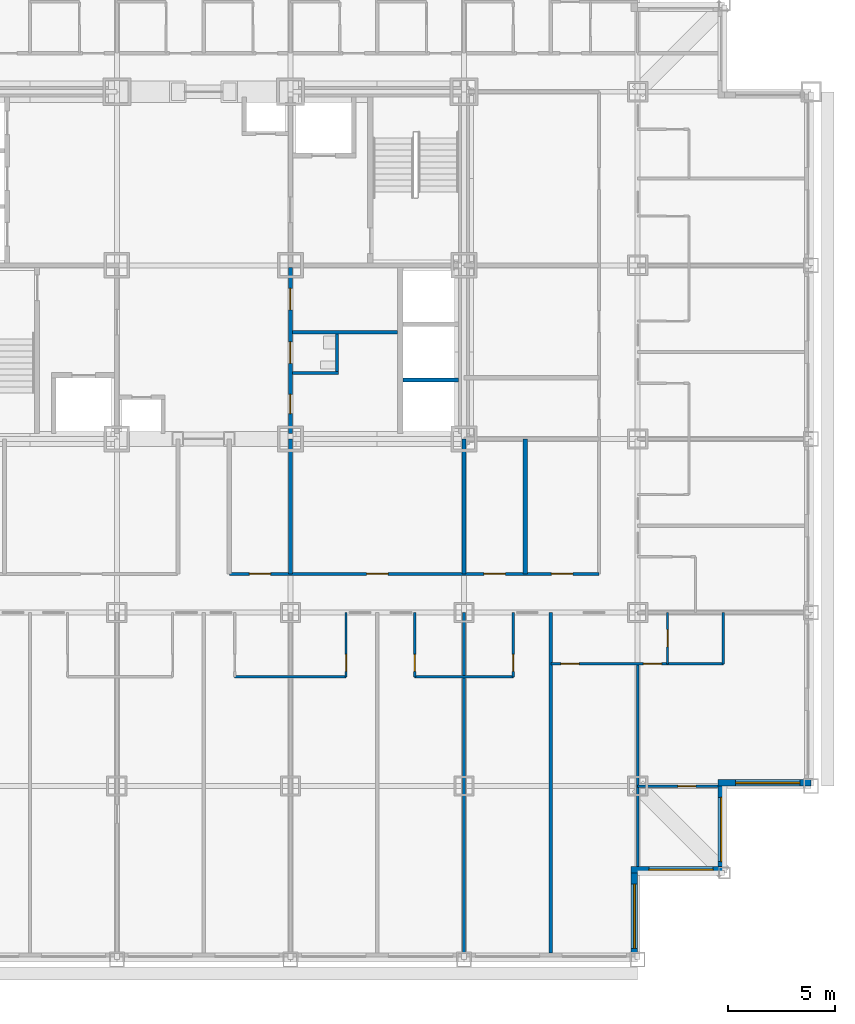
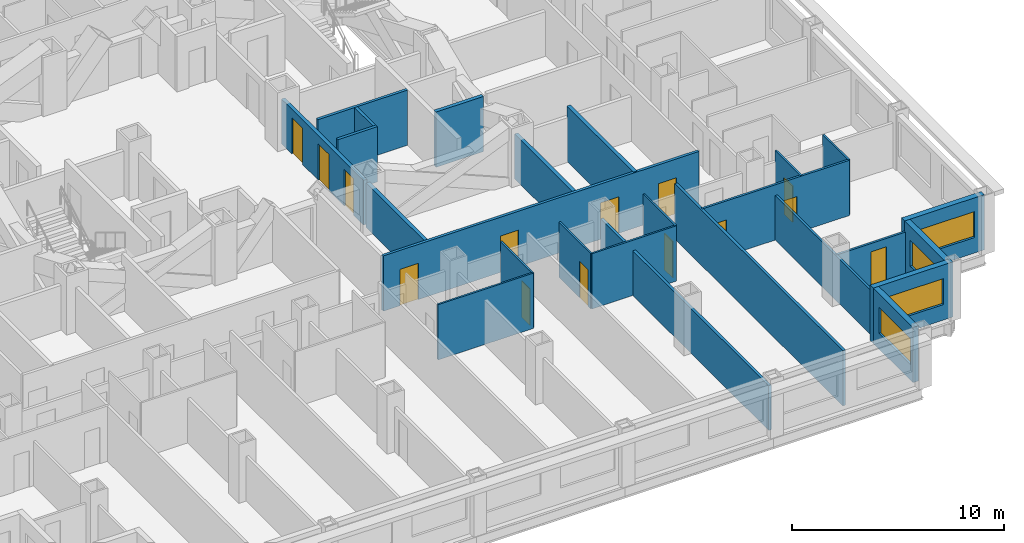
# One storey, part 6 of 13: 25 walls, 14 doors, 4 windows, 18 openings.
"""IFC4 building model written with IfcOpenShell, lengths in metres."""

from ifc_helpers import new_model, si_unit, direction, frame, frame_2d, origin, place, context, subcontext, project, spatial, rectangle, extrude, material, layer, layer_set, type_object, element, fill, save


model = new_model("IFC4")

# Units and contexts
model_context = context("Model", 3, precision=1e-05, world=origin(), true_north=direction((0.0, 1.0)))
body_context = subcontext(model_context, "Body", "Model", "MODEL_VIEW")
ifc_project = project(units=[si_unit("LENGTHUNIT", "METRE"), si_unit("AREAUNIT", "SQUARE_METRE"), si_unit("VOLUMEUNIT", "CUBIC_METRE"), si_unit("PLANEANGLEUNIT", "RADIAN"), si_unit("MASSUNIT", "GRAM", prefix="KILO")], contexts=[model_context])

# Site, building, storey
site_placement = place(None, origin())
site = spatial("IfcSite", under=ifc_project, at=site_placement, CompositionType="ELEMENT")
building_placement = place(site_placement, origin())
building = spatial("IfcBuilding", under=site, at=building_placement, Name="Kopane Lantern Tower", CompositionType="ELEMENT")
storey_placement = place(building_placement, frame((0.0, 0.0, 50.0)))
storey = spatial("IfcBuildingStorey", under=building, at=storey_placement, Name="L11", CompositionType="ELEMENT", Elevation=50.0)

# Wall, openings, doors
ifc_material_1 = material(Name="Gypsum board on steel studs", Category="steel")
ifc_layer_1 = layer(ifc_material_1, 0.1201171875)
ifc_layer_set_1 = layer_set([ifc_layer_1], Name="APARTMENT INTERNAL WALL 120")
wall_type_1 = type_object("IfcWallType", Name="APARTMENT INTERNAL WALL 120", PredefinedType="PARTITIONING", material=ifc_layer_set_1)
wall_1_placement = place(storey_placement, frame((44.550048828125, 13.800048828125, 0.0), z_axis=(0.0, 0.0, 1.0), x_axis=(1.0, 0.0, 0.0)))
wall_1 = element("IfcWall", 1, at=wall_1_placement, inside=storey, type_object=wall_type_1, Name="Apartment Internal Wall 120 L11", PredefinedType="PARTITIONING", context=body_context, shape_type="SweptSolid", body=[
    extrude(rectangle(XDim=8.050048828125, YDim=0.1201171875, at=frame_2d((4.02490234375, 0.0))), origin(), (0.0, 0.0, 1.0), 3.18994140625),
])
opening_1_placement = place(wall_1_placement, frame((0.47509765625, 0.0, 0.0)))
opening_1 = element("IfcOpeningElement", 2, at=opening_1_placement, cuts=wall_1, Name="Opening L11-079", PredefinedType="OPENING", context=body_context, shape_type="SweptSolid", body=[
    extrude(rectangle(XDim=0.85009765625, YDim=2.10009765625, at=frame_2d((0.425048828125, 1.050048828125))), frame((0.0, 0.070068359375, 0.0), z_axis=(0.0, -1.0, 0.0), x_axis=(1.0, 0.0, 0.0)), (0.0, 0.0, 1.0), 0.14013671875),
])
opening_2_placement = place(wall_1_placement, frame((4.324951171875, 0.0, 0.0)))
opening_2 = element("IfcOpeningElement", 3, at=opening_2_placement, cuts=wall_1, Name="Opening L11-081", PredefinedType="OPENING", context=body_context, shape_type="SweptSolid", body=[
    extrude(rectangle(XDim=0.85009765625, YDim=2.10009765625, at=frame_2d((0.425048828125, 1.050048828125))), frame((0.0, 0.070068359375, 0.0), z_axis=(0.0, -1.0, 0.0), x_axis=(1.0, 0.0, 0.0)), (0.0, 0.0, 1.0), 0.14013671875),
])
ifc_material_2 = material(Name="Timber door set", Category="wood")
door_type_1 = type_object("IfcDoorType", Name="DOOR D4 850x2100", OperationType="SINGLE_SWING_LEFT", PredefinedType="DOOR", material=ifc_material_2)
door_1_placement = place(opening_1_placement, origin())
door_1 = element("IfcDoor", 4, at=door_1_placement, inside=storey, type_object=door_type_1, Name="Door L11-079", OperationType="SINGLE_SWING_LEFT", OverallHeight=2.10009765625, OverallWidth=0.85009765625, PredefinedType="DOOR", context=body_context, shape_type="SweptSolid", body=[
    extrude(rectangle(XDim=0.85009765625, YDim=2.10009765625, at=frame_2d((0.425048828125, 1.050048828125))), frame((0.0, 0.02490234375, 0.0), z_axis=(0.0, -1.0, 0.0), x_axis=(1.0, 0.0, 0.0)), (0.0, 0.0, 1.0), 0.050048828125),
])
fill(opening_1, door_1)
door_2_placement = place(opening_2_placement, origin())
door_2 = element("IfcDoor", 5, at=door_2_placement, inside=storey, type_object=door_type_1, Name="Door L11-081", OperationType="SINGLE_SWING_RIGHT", OverallHeight=2.10009765625, OverallWidth=0.85009765625, PredefinedType="DOOR", context=body_context, shape_type="SweptSolid", body=[
    extrude(rectangle(XDim=0.85009765625, YDim=2.10009765625, at=frame_2d((0.425048828125, 1.050048828125))), frame((0.0, 0.02490234375, 0.0), z_axis=(0.0, -1.0, 0.0), x_axis=(1.0, 0.0, 0.0)), (0.0, 0.0, 1.0), 0.050048828125),
])
fill(opening_2, door_2)

# Wall
wall_2_placement = place(storey_placement, frame((48.60009765625, 13.800048828125, 0.0), z_axis=(0.0, 0.0, 1.0), x_axis=(0.0, -1.0, 0.0)))
element("IfcWall", 6, at=wall_2_placement, inside=storey, type_object=wall_type_1, Name="Apartment Internal Wall 120 L11", PredefinedType="PARTITIONING", context=body_context, shape_type="SweptSolid", body=[
    extrude(rectangle(XDim=9.449951171875, YDim=0.1201171875, at=frame_2d((4.72509765625, 0.0))), origin(), (0.0, 0.0, 1.0), 2.577880859375),
])

# Wall, opening, door
wall_3_placement = place(storey_placement, frame((48.60009765625, 8.10009765625, 0.0), z_axis=(0.0, 0.0, 1.0), x_axis=(1.0, 0.0, 0.0)))
wall_3 = element("IfcWall", 7, at=wall_3_placement, inside=storey, type_object=wall_type_1, Name="Apartment Internal Wall 120 L11", PredefinedType="PARTITIONING", context=body_context, shape_type="SweptSolid", body=[
    extrude(rectangle(XDim=3.75, YDim=0.1201171875, at=frame_2d((1.875, 0.0))), origin(), (0.0, 0.0, 1.0), 2.577880859375),
])
opening_3_placement = place(wall_3_placement, frame((1.875, 0.0, 0.0)))
opening_3 = element("IfcOpeningElement", 8, at=opening_3_placement, cuts=wall_3, Name="Opening L11-082", PredefinedType="OPENING", context=body_context, shape_type="SweptSolid", body=[
    extrude(rectangle(XDim=0.85009765625, YDim=2.10009765625, at=frame_2d((0.425048828125, 1.050048828125))), frame((0.0, 0.070068359375, 0.0), z_axis=(0.0, -1.0, 0.0), x_axis=(1.0, 0.0, 0.0)), (0.0, 0.0, 1.0), 0.14013671875),
])
door_3_placement = place(opening_3_placement, origin())
door_3 = element("IfcDoor", 9, at=door_3_placement, inside=storey, type_object=door_type_1, Name="Door L11-082", OperationType="SINGLE_SWING_LEFT", OverallHeight=2.10009765625, OverallWidth=0.85009765625, PredefinedType="DOOR", context=body_context, shape_type="SweptSolid", body=[
    extrude(rectangle(XDim=0.85009765625, YDim=2.10009765625, at=frame_2d((0.425048828125, 1.050048828125))), frame((0.0, 0.02490234375, 0.0), z_axis=(0.0, -1.0, 0.0), x_axis=(1.0, 0.0, 0.0)), (0.0, 0.0, 1.0), 0.050048828125),
])
fill(opening_3, door_3)

# Wall
ifc_material_3 = material(Name="Moisture-resistant board on steel studs", Category="steel")
ifc_layer_2 = layer(ifc_material_3, 0.10009765625)
ifc_layer_set_2 = layer_set([ifc_layer_2], Name="BATHROOM WALL 100")
wall_type_2 = type_object("IfcWallType", Name="BATHROOM WALL 100", PredefinedType="PARTITIONING", material=ifc_layer_set_2)
wall_4_placement = place(storey_placement, frame((29.800048828125, 13.199951171875, 0.0), z_axis=(0.0, 0.0, 1.0), x_axis=(1.0, 0.0, 0.0)))
element("IfcWall", 10, at=wall_4_placement, inside=storey, type_object=wall_type_2, Name="Bathroom Wall 100 L11", PredefinedType="PARTITIONING", context=body_context, shape_type="SweptSolid", body=[
    extrude(rectangle(XDim=5.199951171875, YDim=0.10009765625, at=frame_2d((2.60009765625, 0.0))), origin(), (0.0, 0.0, 1.0), 3.18994140625),
])

# Wall, opening, door
wall_5_placement = place(storey_placement, frame((35.0, 16.199951171875, 0.0), z_axis=(0.0, 0.0, 1.0), x_axis=(0.0, -1.0, 0.0)))
wall_5 = element("IfcWall", 11, at=wall_5_placement, inside=storey, type_object=wall_type_2, Name="Bathroom Wall 100 L11", PredefinedType="PARTITIONING", context=body_context, shape_type="SweptSolid", body=[
    extrude(rectangle(XDim=3.0, YDim=0.10009765625, at=frame_2d((1.5, 0.0))), origin(), (0.0, 0.0, 1.0), 3.18994140625),
])
opening_4_placement = place(wall_5_placement, frame((1.949951171875, 0.0, 0.0)))
opening_4 = element("IfcOpeningElement", 12, at=opening_4_placement, cuts=wall_5, Name="Opening L11-027", PredefinedType="OPENING", context=body_context, shape_type="SweptSolid", body=[
    extrude(rectangle(XDim=0.800048828125, YDim=2.10009765625, at=frame_2d((0.39990234375, 1.050048828125))), frame((0.0, 0.06005859375, 0.0), z_axis=(0.0, -1.0, 0.0), x_axis=(1.0, 0.0, 0.0)), (0.0, 0.0, 1.0), 0.1201171875),
])
ifc_material_4 = material(Name="Timber door set", Category="wood")
door_type_2 = type_object("IfcDoorType", Name="DOOR D2 800x2100", OperationType="SINGLE_SWING_LEFT", PredefinedType="DOOR", material=ifc_material_4)
door_4_placement = place(opening_4_placement, origin())
door_4 = element("IfcDoor", 13, at=door_4_placement, inside=storey, type_object=door_type_2, Name="Door L11-027", OperationType="SINGLE_SWING_LEFT", OverallHeight=2.10009765625, OverallWidth=0.800048828125, PredefinedType="DOOR", context=body_context, shape_type="SweptSolid", body=[
    extrude(rectangle(XDim=0.800048828125, YDim=2.10009765625, at=frame_2d((0.39990234375, 1.050048828125))), frame((0.0, 0.02490234375, 0.0), z_axis=(0.0, -1.0, 0.0), x_axis=(1.0, 0.0, 0.0)), (0.0, 0.0, 1.0), 0.050048828125),
])
fill(opening_4, door_4)

# Wall
wall_6_placement = place(storey_placement, frame((38.199951171875, 13.199951171875, 0.0), z_axis=(0.0, 0.0, 1.0), x_axis=(1.0, 0.0, 0.0)))
element("IfcWall", 14, at=wall_6_placement, inside=storey, type_object=wall_type_2, Name="Bathroom Wall 100 L11", PredefinedType="PARTITIONING", context=body_context, shape_type="SweptSolid", body=[
    extrude(rectangle(XDim=4.60009765625, YDim=0.10009765625, at=frame_2d((2.300048828125, 0.0))), origin(), (0.0, 0.0, 1.0), 3.18994140625),
])

# Wall, opening, door
wall_7_placement = place(storey_placement, frame((38.199951171875, 16.199951171875, 0.0), z_axis=(0.0, 0.0, 1.0), x_axis=(0.0, -1.0, 0.0)))
wall_7 = element("IfcWall", 15, at=wall_7_placement, inside=storey, type_object=wall_type_2, Name="Bathroom Wall 100 L11", PredefinedType="PARTITIONING", context=body_context, shape_type="SweptSolid", body=[
    extrude(rectangle(XDim=3.0, YDim=0.10009765625, at=frame_2d((1.5, 0.0))), origin(), (0.0, 0.0, 1.0), 3.18994140625),
])
opening_5_placement = place(wall_7_placement, frame((1.949951171875, 0.0, 0.0)))
opening_5 = element("IfcOpeningElement", 16, at=opening_5_placement, cuts=wall_7, Name="Opening L11-029", PredefinedType="OPENING", context=body_context, shape_type="SweptSolid", body=[
    extrude(rectangle(XDim=0.800048828125, YDim=2.10009765625, at=frame_2d((0.39990234375, 1.050048828125))), frame((0.0, 0.06005859375, 0.0), z_axis=(0.0, -1.0, 0.0), x_axis=(1.0, 0.0, 0.0)), (0.0, 0.0, 1.0), 0.1201171875),
])
door_5_placement = place(opening_5_placement, origin())
door_5 = element("IfcDoor", 17, at=door_5_placement, inside=storey, type_object=door_type_2, Name="Door L11-029", OperationType="SINGLE_SWING_RIGHT", OverallHeight=2.10009765625, OverallWidth=0.800048828125, PredefinedType="DOOR", context=body_context, shape_type="SweptSolid", body=[
    extrude(rectangle(XDim=0.800048828125, YDim=2.10009765625, at=frame_2d((0.39990234375, 1.050048828125))), frame((0.0, 0.02490234375, 0.0), z_axis=(0.0, -1.0, 0.0), x_axis=(1.0, 0.0, 0.0)), (0.0, 0.0, 1.0), 0.050048828125),
])
fill(opening_5, door_5)

wall_8_placement = place(storey_placement, frame((42.800048828125, 16.199951171875, 0.0), z_axis=(0.0, 0.0, 1.0), x_axis=(0.0, -1.0, 0.0)))
wall_8 = element("IfcWall", 18, at=wall_8_placement, inside=storey, type_object=wall_type_2, Name="Bathroom Wall 100 L11", PredefinedType="PARTITIONING", context=body_context, shape_type="SweptSolid", body=[
    extrude(rectangle(XDim=3.0, YDim=0.10009765625, at=frame_2d((1.5, 0.0))), origin(), (0.0, 0.0, 1.0), 3.18994140625),
])
opening_6_placement = place(wall_8_placement, frame((1.949951171875, 0.0, 0.0)))
opening_6 = element("IfcOpeningElement", 19, at=opening_6_placement, cuts=wall_8, Name="Opening L11-031", PredefinedType="OPENING", context=body_context, shape_type="SweptSolid", body=[
    extrude(rectangle(XDim=0.800048828125, YDim=2.10009765625, at=frame_2d((0.39990234375, 1.050048828125))), frame((0.0, 0.06005859375, 0.0), z_axis=(0.0, -1.0, 0.0), x_axis=(1.0, 0.0, 0.0)), (0.0, 0.0, 1.0), 0.1201171875),
])
door_6_placement = place(opening_6_placement, origin())
door_6 = element("IfcDoor", 20, at=door_6_placement, inside=storey, type_object=door_type_2, Name="Door L11-031", OperationType="SINGLE_SWING_LEFT", OverallHeight=2.10009765625, OverallWidth=0.800048828125, PredefinedType="DOOR", context=body_context, shape_type="SweptSolid", body=[
    extrude(rectangle(XDim=0.800048828125, YDim=2.10009765625, at=frame_2d((0.39990234375, 1.050048828125))), frame((0.0, 0.02490234375, 0.0), z_axis=(0.0, -1.0, 0.0), x_axis=(1.0, 0.0, 0.0)), (0.0, 0.0, 1.0), 0.050048828125),
])
fill(opening_6, door_6)

wall_9_placement = place(storey_placement, frame((50.0, 16.199951171875, 0.0), z_axis=(0.0, 0.0, 1.0), x_axis=(0.0, -1.0, 0.0)))
wall_9 = element("IfcWall", 21, at=wall_9_placement, inside=storey, type_object=wall_type_2, Name="Bathroom Wall 100 L11", PredefinedType="PARTITIONING", context=body_context, shape_type="SweptSolid", body=[
    extrude(rectangle(XDim=2.39990234375, YDim=0.10009765625, at=frame_2d((1.199951171875, 0.0))), origin(), (0.0, 0.0, 1.0), 3.18994140625),
])
opening_7_placement = place(wall_9_placement, frame((0.800048828125, 0.0, 0.0)))
opening_7 = element("IfcOpeningElement", 22, at=opening_7_placement, cuts=wall_9, Name="Opening L11-080", PredefinedType="OPENING", context=body_context, shape_type="SweptSolid", body=[
    extrude(rectangle(XDim=0.800048828125, YDim=2.10009765625, at=frame_2d((0.39990234375, 1.050048828125))), frame((0.0, 0.06005859375, 0.0), z_axis=(0.0, -1.0, 0.0), x_axis=(1.0, 0.0, 0.0)), (0.0, 0.0, 1.0), 0.1201171875),
])
door_7_placement = place(opening_7_placement, origin())
door_7 = element("IfcDoor", 23, at=door_7_placement, inside=storey, type_object=door_type_2, Name="Door L11-080", OperationType="SINGLE_SWING_LEFT", OverallHeight=2.10009765625, OverallWidth=0.800048828125, PredefinedType="DOOR", context=body_context, shape_type="SweptSolid", body=[
    extrude(rectangle(XDim=0.800048828125, YDim=2.10009765625, at=frame_2d((0.39990234375, 1.050048828125))), frame((0.0, 0.02490234375, 0.0), z_axis=(0.0, -1.0, 0.0), x_axis=(1.0, 0.0, 0.0)), (0.0, 0.0, 1.0), 0.050048828125),
])
fill(opening_7, door_7)

# Walls
wall_10_placement = place(storey_placement, frame((52.60009765625, 16.199951171875, 0.0), z_axis=(0.0, 0.0, 1.0), x_axis=(0.0, -1.0, 0.0)))
element("IfcWall", 24, at=wall_10_placement, inside=storey, type_object=wall_type_2, Name="Bathroom Wall 100 L11", PredefinedType="PARTITIONING", context=body_context, shape_type="SweptSolid", body=[
    extrude(rectangle(XDim=2.39990234375, YDim=0.10009765625, at=frame_2d((1.199951171875, 0.0))), origin(), (0.0, 0.0, 1.0), 3.18994140625),
])
ifc_material_5 = material(Name="Gypsum partition EI 60", Category="gypsum")
ifc_layer_3 = layer(ifc_material_5, 0.14990234375)
ifc_layer_set_3 = layer_set([ifc_layer_3], Name="CORE ROOM PARTITION 150 EI 60")
wall_type_3 = type_object("IfcWallType", Name="CORE ROOM PARTITION 150 EI 60", PredefinedType="PARTITIONING", material=ifc_layer_set_3)
wall_11_placement = place(storey_placement, frame((32.5, 27.375, 0.0), z_axis=(0.0, 0.0, 1.0), x_axis=(1.0, 0.0, 0.0)))
element("IfcWall", 25, at=wall_11_placement, inside=storey, type_object=wall_type_3, Name="Core room partition L11 E1", PredefinedType="PARTITIONING", context=body_context, shape_type="SweptSolid", body=[
    extrude(rectangle(XDim=2.14990234375, YDim=0.14990234375, at=frame_2d((1.074951171875, 0.0))), origin(), (0.0, 0.0, 1.0), 3.18994140625),
])
wall_12_placement = place(storey_placement, frame((32.5, 29.27490234375, 0.0), z_axis=(0.0, 0.0, 1.0), x_axis=(1.0, 0.0, 0.0)))
element("IfcWall", 26, at=wall_12_placement, inside=storey, type_object=wall_type_3, Name="Core room partition L11 E2", PredefinedType="PARTITIONING", context=body_context, shape_type="SweptSolid", body=[
    extrude(rectangle(XDim=4.89990234375, YDim=0.14990234375, at=frame_2d((2.449951171875, 0.0))), origin(), (0.0, 0.0, 1.0), 3.18994140625),
])
wall_13_placement = place(storey_placement, frame((34.574951171875, 27.449951171875, 0.0), z_axis=(0.0, 0.0, 1.0), x_axis=(0.0, 1.0, 0.0)))
element("IfcWall", 27, at=wall_13_placement, inside=storey, type_object=wall_type_3, Name="Core room partition L11 EB1", PredefinedType="PARTITIONING", context=body_context, shape_type="SweptSolid", body=[
    extrude(rectangle(XDim=1.75, YDim=0.14990234375, at=frame_2d((0.875, 0.0))), origin(), (0.0, 0.0, 1.0), 3.18994140625),
])

# Wall, openings, doors
ifc_material_6 = material(Name="Gypsum partition EI 60", Category="gypsum")
ifc_layer_4 = layer(ifc_material_6, 0.199951171875)
ifc_layer_set_4 = layer_set([ifc_layer_4], Name="CORE ROOM WALL 200 EI 60")
wall_type_4 = type_object("IfcWallType", Name="CORE ROOM WALL 200 EI 60", PredefinedType="PARTITIONING", material=ifc_layer_set_4)
wall_14_placement = place(storey_placement, frame((32.39990234375, 24.550048828125, 0.0), z_axis=(0.0, 0.0, 1.0), x_axis=(0.0, 1.0, 0.0)))
wall_14 = element("IfcWall", 28, at=wall_14_placement, inside=storey, type_object=wall_type_4, Name="Core room wall L11 XE", PredefinedType="PARTITIONING", context=body_context, shape_type="SweptSolid", body=[
    extrude(rectangle(XDim=7.75, YDim=0.199951171875, at=frame_2d((3.875, 0.0))), origin(), (0.0, 0.0, 1.0), 2.577880859375),
])
opening_8_placement = place(wall_14_placement, frame((0.925048828125, 0.0, 0.0)))
opening_8 = element("IfcOpeningElement", 29, at=opening_8_placement, cuts=wall_14, Name="Opening 11.C20", PredefinedType="OPENING", context=body_context, shape_type="SweptSolid", body=[
    extrude(rectangle(XDim=0.89990234375, YDim=2.10009765625, at=frame_2d((0.449951171875, 1.050048828125))), frame((0.0, 0.10986328125, 0.0), z_axis=(0.0, -1.0, 0.0), x_axis=(1.0, 0.0, 0.0)), (0.0, 0.0, 1.0), 0.219970703125),
])
opening_9_placement = place(wall_14_placement, frame((3.27490234375, 0.0, 0.0)))
opening_9 = element("IfcOpeningElement", 30, at=opening_9_placement, cuts=wall_14, Name="Opening 11.C21", PredefinedType="OPENING", context=body_context, shape_type="SweptSolid", body=[
    extrude(rectangle(XDim=1.0, YDim=2.10009765625, at=frame_2d((0.5, 1.050048828125))), frame((0.0, 0.10986328125, 0.0), z_axis=(0.0, -1.0, 0.0), x_axis=(1.0, 0.0, 0.0)), (0.0, 0.0, 1.0), 0.219970703125),
])
opening_10_placement = place(wall_14_placement, frame((5.77490234375, 0.0, 0.0)))
opening_10 = element("IfcOpeningElement", 31, at=opening_10_placement, cuts=wall_14, Name="Opening 11.C22", PredefinedType="OPENING", context=body_context, shape_type="SweptSolid", body=[
    extrude(rectangle(XDim=1.0, YDim=2.10009765625, at=frame_2d((0.5, 1.050048828125))), frame((0.0, 0.10986328125, 0.0), z_axis=(0.0, -1.0, 0.0), x_axis=(1.0, 0.0, 0.0)), (0.0, 0.0, 1.0), 0.219970703125),
])
ifc_material_7 = material(Name="Steel door set", Category="steel")
door_type_3 = type_object("IfcDoorType", Name="CORE ROOM DOOR 1000x2100 FD30S", OperationType="SINGLE_SWING_RIGHT", PredefinedType="DOOR", material=ifc_material_7)
door_8_placement = place(opening_9_placement, origin())
door_8 = element("IfcDoor", 32, at=door_8_placement, inside=storey, type_object=door_type_3, Name="Door Staff WC L11", OperationType="SINGLE_SWING_LEFT", OverallHeight=2.10009765625, OverallWidth=1.0, PredefinedType="DOOR", context=body_context, shape_type="SweptSolid", body=[
    extrude(rectangle(XDim=1.0, YDim=2.10009765625, at=frame_2d((0.5, 1.050048828125))), frame((0.0, 0.02490234375, 0.0), z_axis=(0.0, -1.0, 0.0), x_axis=(1.0, 0.0, 0.0)), (0.0, 0.0, 1.0), 0.050048828125),
])
fill(opening_9, door_8)
door_9_placement = place(opening_10_placement, origin())
door_9 = element("IfcDoor", 33, at=door_9_placement, inside=storey, type_object=door_type_3, Name="Door Guest pantry L11", OperationType="SINGLE_SWING_RIGHT", OverallHeight=2.10009765625, OverallWidth=1.0, PredefinedType="DOOR", context=body_context, shape_type="SweptSolid", body=[
    extrude(rectangle(XDim=1.0, YDim=2.10009765625, at=frame_2d((0.5, 1.050048828125))), frame((0.0, 0.02490234375, 0.0), z_axis=(0.0, -1.0, 0.0), x_axis=(1.0, 0.0, 0.0)), (0.0, 0.0, 1.0), 0.050048828125),
])
fill(opening_10, door_9)
ifc_material_8 = material(Name="Steel door set", Category="steel")
door_type_4 = type_object("IfcDoorType", Name="CORE ROOM DOOR 900x2100 FD60", OperationType="SINGLE_SWING_LEFT", PredefinedType="DOOR", material=ifc_material_8)
door_10_placement = place(opening_8_placement, origin())
door_10 = element("IfcDoor", 34, at=door_10_placement, inside=storey, type_object=door_type_4, Name="Door Luggage store L11", OperationType="SINGLE_SWING_LEFT", OverallHeight=2.10009765625, OverallWidth=0.89990234375, PredefinedType="DOOR", context=body_context, shape_type="SweptSolid", body=[
    extrude(rectangle(XDim=0.89990234375, YDim=2.10009765625, at=frame_2d((0.449951171875, 1.050048828125))), frame((0.0, 0.02490234375, 0.0), z_axis=(0.0, -1.0, 0.0), x_axis=(1.0, 0.0, 0.0)), (0.0, 0.0, 1.0), 0.050048828125),
])
fill(opening_8, door_10)

ifc_material_9 = material(Name="Gypsum board on steel studs", Category="steel")
ifc_layer_5 = layer(ifc_material_9, 0.14990234375)
ifc_layer_set_5 = layer_set([ifc_layer_5], Name="CORRIDOR WALL 150 EI 60")
wall_type_5 = type_object("IfcWallType", Name="CORRIDOR WALL 150 EI 60", PredefinedType="PARTITIONING", material=ifc_layer_set_5)
wall_15_placement = place(storey_placement, frame((29.56005859375, 18.0, 0.0), z_axis=(0.0, 0.0, 1.0), x_axis=(1.0, 0.0, 0.0)))
wall_15 = element("IfcWall", 35, at=wall_15_placement, inside=storey, type_object=wall_type_5, Name="Corridor Wall 150 Ei 60 L11", PredefinedType="PARTITIONING", context=body_context, shape_type="SweptSolid", body=[
    extrude(rectangle(XDim=17.239990234375, YDim=0.14990234375, at=frame_2d((8.6201171875, 0.0))), origin(), (0.0, 0.0, 1.0), 3.18994140625),
])
opening_11_placement = place(wall_15_placement, frame((0.918701171875, 0.0, 0.0)))
opening_11 = element("IfcOpeningElement", 36, at=opening_11_placement, cuts=wall_15, Name="Opening L11-012", PredefinedType="OPENING", context=body_context, shape_type="SweptSolid", body=[
    extrude(rectangle(XDim=1.0, YDim=2.10009765625, at=frame_2d((0.5, 1.050048828125))), frame((0.0, 0.0849609375, 0.0), z_axis=(0.0, -1.0, 0.0), x_axis=(1.0, 0.0, 0.0)), (0.0, 0.0, 1.0), 0.169921875),
])
opening_12_placement = place(wall_15_placement, frame((6.3935546875, 0.0, 0.0)))
opening_12 = element("IfcOpeningElement", 37, at=opening_12_placement, cuts=wall_15, Name="Opening L11-013", PredefinedType="OPENING", context=body_context, shape_type="SweptSolid", body=[
    extrude(rectangle(XDim=1.0, YDim=2.10009765625, at=frame_2d((0.5, 1.050048828125))), frame((0.0, 0.0849609375, 0.0), z_axis=(0.0, -1.0, 0.0), x_axis=(1.0, 0.0, 0.0)), (0.0, 0.0, 1.0), 0.169921875),
])
opening_13_placement = place(wall_15_placement, frame((11.86865234375, 0.0, 0.0)))
opening_13 = element("IfcOpeningElement", 38, at=opening_13_placement, cuts=wall_15, Name="Opening L11-014", PredefinedType="OPENING", context=body_context, shape_type="SweptSolid", body=[
    extrude(rectangle(XDim=1.0, YDim=2.10009765625, at=frame_2d((0.5, 1.050048828125))), frame((0.0, 0.0849609375, 0.0), z_axis=(0.0, -1.0, 0.0), x_axis=(1.0, 0.0, 0.0)), (0.0, 0.0, 1.0), 0.169921875),
])
opening_14_placement = place(wall_15_placement, frame((15.0185546875, 0.0, 0.0)))
opening_14 = element("IfcOpeningElement", 39, at=opening_14_placement, cuts=wall_15, Name="Opening L11-015", PredefinedType="OPENING", context=body_context, shape_type="SweptSolid", body=[
    extrude(rectangle(XDim=1.0, YDim=2.10009765625, at=frame_2d((0.5, 1.050048828125))), frame((0.0, 0.0849609375, 0.0), z_axis=(0.0, -1.0, 0.0), x_axis=(1.0, 0.0, 0.0)), (0.0, 0.0, 1.0), 0.169921875),
])
ifc_material_10 = material(Name="Steel door set", Category="steel")
door_type_5 = type_object("IfcDoorType", Name="DOOR D5 1000x2100 FD60", OperationType="SINGLE_SWING_LEFT", PredefinedType="DOOR", material=ifc_material_10)
door_11_placement = place(opening_11_placement, origin())
door_11 = element("IfcDoor", 40, at=door_11_placement, inside=storey, type_object=door_type_5, Name="Door L11-012", OperationType="SINGLE_SWING_LEFT", OverallHeight=2.10009765625, OverallWidth=1.0, PredefinedType="DOOR", context=body_context, shape_type="SweptSolid", body=[
    extrude(rectangle(XDim=1.0, YDim=2.10009765625, at=frame_2d((0.5, 1.050048828125))), frame((0.0, 0.02490234375, 0.0), z_axis=(0.0, -1.0, 0.0), x_axis=(1.0, 0.0, 0.0)), (0.0, 0.0, 1.0), 0.050048828125),
])
fill(opening_11, door_11)
door_12_placement = place(opening_12_placement, origin())
door_12 = element("IfcDoor", 41, at=door_12_placement, inside=storey, type_object=door_type_5, Name="Door L11-013", OperationType="SINGLE_SWING_RIGHT", OverallHeight=2.10009765625, OverallWidth=1.0, PredefinedType="DOOR", context=body_context, shape_type="SweptSolid", body=[
    extrude(rectangle(XDim=1.0, YDim=2.10009765625, at=frame_2d((0.5, 1.050048828125))), frame((0.0, 0.02490234375, 0.0), z_axis=(0.0, -1.0, 0.0), x_axis=(1.0, 0.0, 0.0)), (0.0, 0.0, 1.0), 0.050048828125),
])
fill(opening_12, door_12)
door_13_placement = place(opening_13_placement, origin())
door_13 = element("IfcDoor", 42, at=door_13_placement, inside=storey, type_object=door_type_5, Name="Door L11-014", OperationType="SINGLE_SWING_LEFT", OverallHeight=2.10009765625, OverallWidth=1.0, PredefinedType="DOOR", context=body_context, shape_type="SweptSolid", body=[
    extrude(rectangle(XDim=1.0, YDim=2.10009765625, at=frame_2d((0.5, 1.050048828125))), frame((0.0, 0.02490234375, 0.0), z_axis=(0.0, -1.0, 0.0), x_axis=(1.0, 0.0, 0.0)), (0.0, 0.0, 1.0), 0.050048828125),
])
fill(opening_13, door_13)
door_14_placement = place(opening_14_placement, origin())
door_14 = element("IfcDoor", 43, at=door_14_placement, inside=storey, type_object=door_type_5, Name="Door L11-015", OperationType="SINGLE_SWING_RIGHT", OverallHeight=2.10009765625, OverallWidth=1.0, PredefinedType="DOOR", context=body_context, shape_type="SweptSolid", body=[
    extrude(rectangle(XDim=1.0, YDim=2.10009765625, at=frame_2d((0.5, 1.050048828125))), frame((0.0, 0.02490234375, 0.0), z_axis=(0.0, -1.0, 0.0), x_axis=(1.0, 0.0, 0.0)), (0.0, 0.0, 1.0), 0.050048828125),
])
fill(opening_14, door_14)

# Walls
ifc_material_11 = material(Name="Gypsum board on steel studs", Category="steel")
ifc_layer_6 = layer(ifc_material_11, 0.14990234375)
ifc_layer_set_6 = layer_set([ifc_layer_6], Name="DEMISING WALL 150 EI 60")
wall_type_6 = type_object("IfcWallType", Name="DEMISING WALL 150 EI 60", PredefinedType="PARTITIONING", material=ifc_layer_set_6)
wall_16_placement = place(storey_placement, frame((40.5, 16.199951171875, 0.0), z_axis=(0.0, 0.0, 1.0), x_axis=(0.0, -1.0, 0.0)))
element("IfcWall", 44, at=wall_16_placement, inside=storey, type_object=wall_type_6, Name="Demising Wall 150 Ei 60 L11", PredefinedType="PARTITIONING", context=body_context, shape_type="SweptSolid", body=[
    extrude(rectangle(XDim=15.89990234375, YDim=0.14990234375, at=frame_2d((7.949951171875, 0.0))), origin(), (0.0, 0.0, 1.0), 2.577880859375),
])
wall_17_placement = place(storey_placement, frame((44.550048828125, 16.199951171875, 0.0), z_axis=(0.0, 0.0, 1.0), x_axis=(0.0, -1.0, 0.0)))
element("IfcWall", 45, at=wall_17_placement, inside=storey, type_object=wall_type_6, Name="Demising Wall 150 Ei 60 L11", PredefinedType="PARTITIONING", context=body_context, shape_type="SweptSolid", body=[
    extrude(rectangle(XDim=15.89990234375, YDim=0.14990234375, at=frame_2d((7.949951171875, 0.0))), origin(), (0.0, 0.0, 1.0), 3.18994140625),
])

# Wall, opening, window
ifc_material_12 = material(Name="Terracotta rainscreen on light steel framing", Category="masonry")
ifc_layer_7 = layer(ifc_material_12, 0.300048828125)
ifc_layer_set_7 = layer_set([ifc_layer_7], Name="EXTERNAL WALL EW1 300 TERRACOTTA")
wall_type_7 = type_object("IfcWallType", Name="EXTERNAL WALL EW1 300 TERRACOTTA", PredefinedType="SOLIDWALL", material=ifc_layer_set_7)
wall_18_placement = place(storey_placement, frame((48.449951171875, 0.300048828125, 0.0), z_axis=(0.0, 0.0, 1.0), x_axis=(0.0, 1.0, 0.0)))
wall_18 = element("IfcWall", 46, at=wall_18_placement, inside=storey, type_object=wall_type_7, Name="External wall E L11", PredefinedType="SOLIDWALL", context=body_context, shape_type="SweptSolid", body=[
    extrude(rectangle(XDim=3.75, YDim=0.300048828125, at=frame_2d((1.875, 0.0))), origin(), (0.0, 0.0, 1.0), 3.18994140625),
])
opening_15_placement = place(wall_18_placement, frame((0.22509765625, 0.0, 0.89990234375)))
opening_15 = element("IfcOpeningElement", 47, at=opening_15_placement, cuts=wall_18, Name="Opening WR300150", PredefinedType="OPENING", context=body_context, shape_type="SweptSolid", body=[
    extrude(rectangle(XDim=3.0, YDim=1.5, at=frame_2d((1.5, 0.75))), frame((0.0, 0.159912109375, 0.0), z_axis=(0.0, -1.0, 0.0), x_axis=(1.0, 0.0, 0.0)), (0.0, 0.0, 1.0), 0.320068359375),
])
ifc_material_13 = material(Name="Aluminium and clear glass", Category="aluminium")
window_type = type_object("IfcWindowType", Name="RIBBON WINDOW WR300150 3000x1500", PartitioningType="SINGLE_PANEL", PredefinedType="WINDOW", material=ifc_material_13)
window_1_placement = place(opening_15_placement, origin())
window_1 = element("IfcWindow", 48, at=window_1_placement, inside=storey, type_object=window_type, Name="Window E L11", OverallHeight=1.5, OverallWidth=3.0, PartitioningType="SINGLE_PANEL", PredefinedType="WINDOW", context=body_context, shape_type="SweptSolid", body=[
    extrude(rectangle(XDim=3.0, YDim=1.5, at=frame_2d((1.5, 0.75))), frame((0.0, 0.030029296875, 0.0), z_axis=(0.0, -1.0, 0.0), x_axis=(1.0, 0.0, 0.0)), (0.0, 0.0, 1.0), 0.06005859375),
])
fill(opening_15, window_1)

wall_19_placement = place(storey_placement, frame((48.300048828125, 4.199951171875, 0.0), z_axis=(0.0, 0.0, 1.0), x_axis=(1.0, 0.0, 0.0)))
wall_19 = element("IfcWall", 49, at=wall_19_placement, inside=storey, type_object=wall_type_7, Name="External wall S L11", PredefinedType="SOLIDWALL", context=body_context, shape_type="SweptSolid", body=[
    extrude(rectangle(XDim=4.349853515625, YDim=0.300048828125, at=frame_2d((2.1748046875, 0.0))), origin(), (0.0, 0.0, 1.0), 3.18994140625),
])
opening_16_placement = place(wall_19_placement, frame((0.824951171875, 0.0, 0.89990234375)))
opening_16 = element("IfcOpeningElement", 50, at=opening_16_placement, cuts=wall_19, Name="Opening WR300150", PredefinedType="OPENING", context=body_context, shape_type="SweptSolid", body=[
    extrude(rectangle(XDim=3.0, YDim=1.5, at=frame_2d((1.5, 0.75))), frame((0.0, 0.159912109375, 0.0), z_axis=(0.0, -1.0, 0.0), x_axis=(1.0, 0.0, 0.0)), (0.0, 0.0, 1.0), 0.320068359375),
])
window_2_placement = place(opening_16_placement, origin())
window_2 = element("IfcWindow", 51, at=window_2_placement, inside=storey, type_object=window_type, Name="Window S L11", OverallHeight=1.5, OverallWidth=3.0, PartitioningType="SINGLE_PANEL", PredefinedType="WINDOW", context=body_context, shape_type="SweptSolid", body=[
    extrude(rectangle(XDim=3.0, YDim=1.5, at=frame_2d((1.5, 0.75))), frame((0.0, 0.030029296875, 0.0), z_axis=(0.0, -1.0, 0.0), x_axis=(1.0, 0.0, 0.0)), (0.0, 0.0, 1.0), 0.06005859375),
])
fill(opening_16, window_2)

wall_20_placement = place(storey_placement, frame((52.5, 4.35009765625, 0.0), z_axis=(0.0, 0.0, 1.0), x_axis=(0.0, 1.0, 0.0)))
wall_20 = element("IfcWall", 52, at=wall_20_placement, inside=storey, type_object=wall_type_7, Name="External wall E L11", PredefinedType="SOLIDWALL", context=body_context, shape_type="SweptSolid", body=[
    extrude(rectangle(XDim=3.75, YDim=0.300048828125, at=frame_2d((1.875, 0.0))), origin(), (0.0, 0.0, 1.0), 3.18994140625),
])
opening_17_placement = place(wall_20_placement, frame((0.22509765625, 0.0, 0.89990234375)))
opening_17 = element("IfcOpeningElement", 53, at=opening_17_placement, cuts=wall_20, Name="Opening WR300150", PredefinedType="OPENING", context=body_context, shape_type="SweptSolid", body=[
    extrude(rectangle(XDim=3.0, YDim=1.5, at=frame_2d((1.5, 0.75))), frame((0.0, 0.159912109375, 0.0), z_axis=(0.0, -1.0, 0.0), x_axis=(1.0, 0.0, 0.0)), (0.0, 0.0, 1.0), 0.320068359375),
])
window_3_placement = place(opening_17_placement, origin())
window_3 = element("IfcWindow", 54, at=window_3_placement, inside=storey, type_object=window_type, Name="Window E L11", OverallHeight=1.5, OverallWidth=3.0, PartitioningType="SINGLE_PANEL", PredefinedType="WINDOW", context=body_context, shape_type="SweptSolid", body=[
    extrude(rectangle(XDim=3.0, YDim=1.5, at=frame_2d((1.5, 0.75))), frame((0.0, 0.030029296875, 0.0), z_axis=(0.0, -1.0, 0.0), x_axis=(1.0, 0.0, 0.0)), (0.0, 0.0, 1.0), 0.06005859375),
])
fill(opening_17, window_3)

wall_21_placement = place(storey_placement, frame((52.35009765625, 8.25, 0.0), z_axis=(0.0, 0.0, 1.0), x_axis=(1.0, 0.0, 0.0)))
wall_21 = element("IfcWall", 55, at=wall_21_placement, inside=storey, type_object=wall_type_7, Name="External wall S L11", PredefinedType="SOLIDWALL", context=body_context, shape_type="SweptSolid", body=[
    extrude(rectangle(XDim=4.349853515625, YDim=0.300048828125, at=frame_2d((2.1748046875, 0.0))), origin(), (0.0, 0.0, 1.0), 3.18994140625),
])
opening_18_placement = place(wall_21_placement, frame((0.824951171875, 0.0, 0.89990234375)))
opening_18 = element("IfcOpeningElement", 56, at=opening_18_placement, cuts=wall_21, Name="Opening WR300150", PredefinedType="OPENING", context=body_context, shape_type="SweptSolid", body=[
    extrude(rectangle(XDim=3.0, YDim=1.5, at=frame_2d((1.5, 0.75))), frame((0.0, 0.159912109375, 0.0), z_axis=(0.0, -1.0, 0.0), x_axis=(1.0, 0.0, 0.0)), (0.0, 0.0, 1.0), 0.320068359375),
])
window_4_placement = place(opening_18_placement, origin())
window_4 = element("IfcWindow", 57, at=window_4_placement, inside=storey, type_object=window_type, Name="Window S L11", OverallHeight=1.5, OverallWidth=3.0, PartitioningType="SINGLE_PANEL", PredefinedType="WINDOW", context=body_context, shape_type="SweptSolid", body=[
    extrude(rectangle(XDim=3.0, YDim=1.5, at=frame_2d((1.5, 0.75))), frame((0.0, 0.030029296875, 0.0), z_axis=(0.0, -1.0, 0.0), x_axis=(1.0, 0.0, 0.0)), (0.0, 0.0, 1.0), 0.06005859375),
])
fill(opening_18, window_4)

# Walls
ifc_material_14 = material(Name="Concrete masonry", Category="masonry")
ifc_layer_8 = layer(ifc_material_14, 0.199951171875)
ifc_layer_set_8 = layer_set([ifc_layer_8], Name="PLANT ROOM WALL 200 EI 120")
wall_type_8 = type_object("IfcWallType", Name="PLANT ROOM WALL 200 EI 120", PredefinedType="SOLIDWALL", material=ifc_layer_set_8)
for number, where, z_axis, x_axis, name in (
    (58, (40.5, 18.0, 0.0), (0.0, 0.0, 1.0), (0.0, 1.0, 0.0), "Plant Room Wall 200 Ei 120 L11"),
    (59, (32.406982421875, 18.0, 0.0), (0.0, 0.0, 1.0), (0.0, 1.0, 0.0), "Plant Room Wall 200 Ei 120 L11"),
):
    element("IfcWall", number, at=place(storey_placement, frame(where, z_axis=z_axis, x_axis=x_axis)), inside=storey, type_object=wall_type_8, Name=name, PredefinedType="SOLIDWALL", context=body_context, shape_type="SweptSolid", body=[
        extrude(rectangle(XDim=6.300048828125, YDim=0.199951171875, at=frame_2d((3.14990234375, 0.0))), origin(), (0.0, 0.0, 1.0), 2.577880859375),
    ])
wall_22_placement = place(storey_placement, frame((43.357177734375, 18.0, 0.0), z_axis=(0.0, 0.0, 1.0), x_axis=(0.0, 1.0, 0.0)))
element("IfcWall", 60, at=wall_22_placement, inside=storey, type_object=wall_type_8, Name="Plant Room Wall 200 Ei 120 L11", PredefinedType="SOLIDWALL", context=body_context, shape_type="SweptSolid", body=[
    extrude(rectangle(XDim=6.300048828125, YDim=0.199951171875, at=frame_2d((3.14990234375, 0.0))), origin(), (0.0, 0.0, 1.0), 3.18994140625),
])
ifc_material_15 = material(Name="Gypsum shaft wall EI 120", Category="gypsum")
ifc_layer_9 = layer(ifc_material_15, 0.199951171875)
ifc_layer_set_9 = layer_set([ifc_layer_9], Name="SHAFT WALL 200 EI 120")
wall_type_9 = type_object("IfcWallType", Name="SHAFT WALL 200 EI 120", PredefinedType="SOLIDWALL", material=ifc_layer_set_9)
wall_23_placement = place(storey_placement, frame((37.64990234375, 27.050048828125, 0.0), z_axis=(0.0, 0.0, 1.0), x_axis=(1.0, 0.0, 0.0)))
element("IfcWall", 61, at=wall_23_placement, inside=storey, type_object=wall_type_9, Name="Core shaft wall L11 YLR12", PredefinedType="SOLIDWALL", context=body_context, shape_type="SweptSolid", body=[
    extrude(rectangle(XDim=2.60009765625, YDim=0.199951171875, at=frame_2d((1.300048828125, 0.0))), origin(), (0.0, 0.0, 1.0), 3.18994140625),
])

save(model, "model.ifc")
